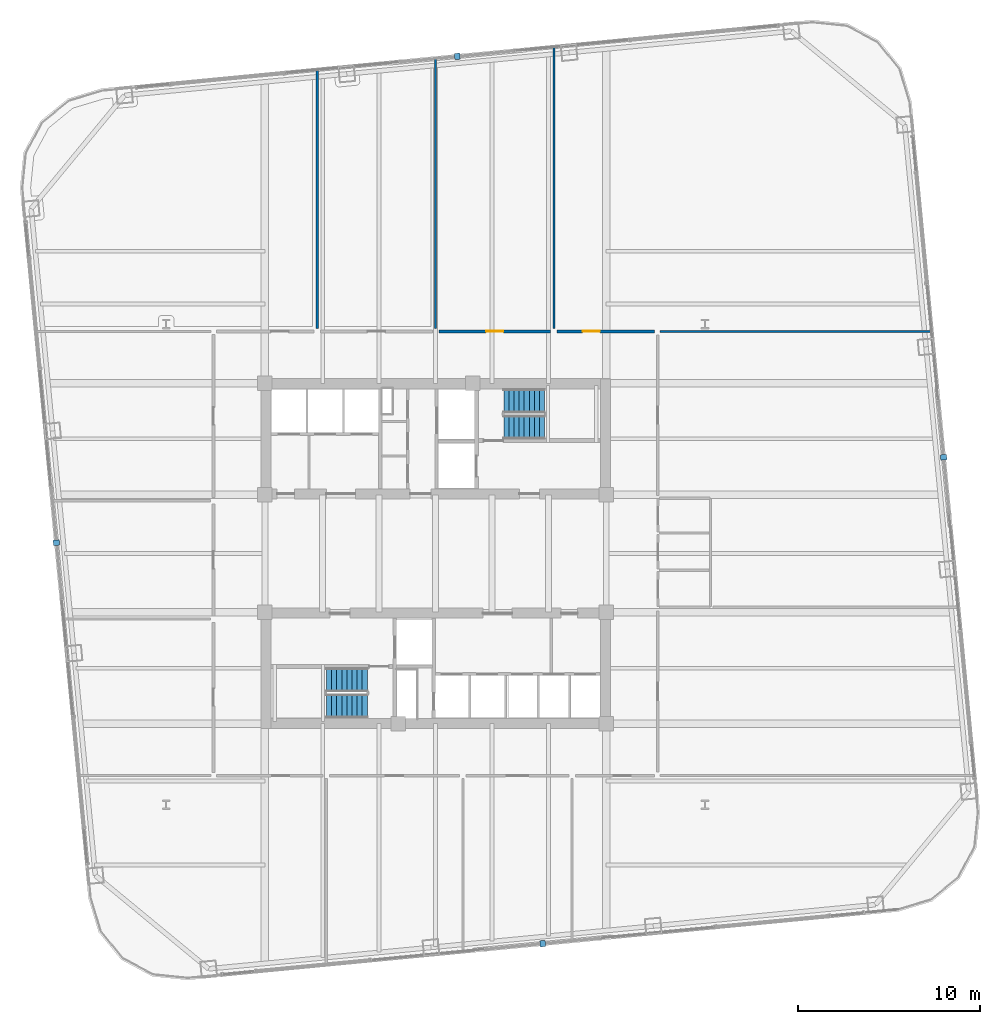
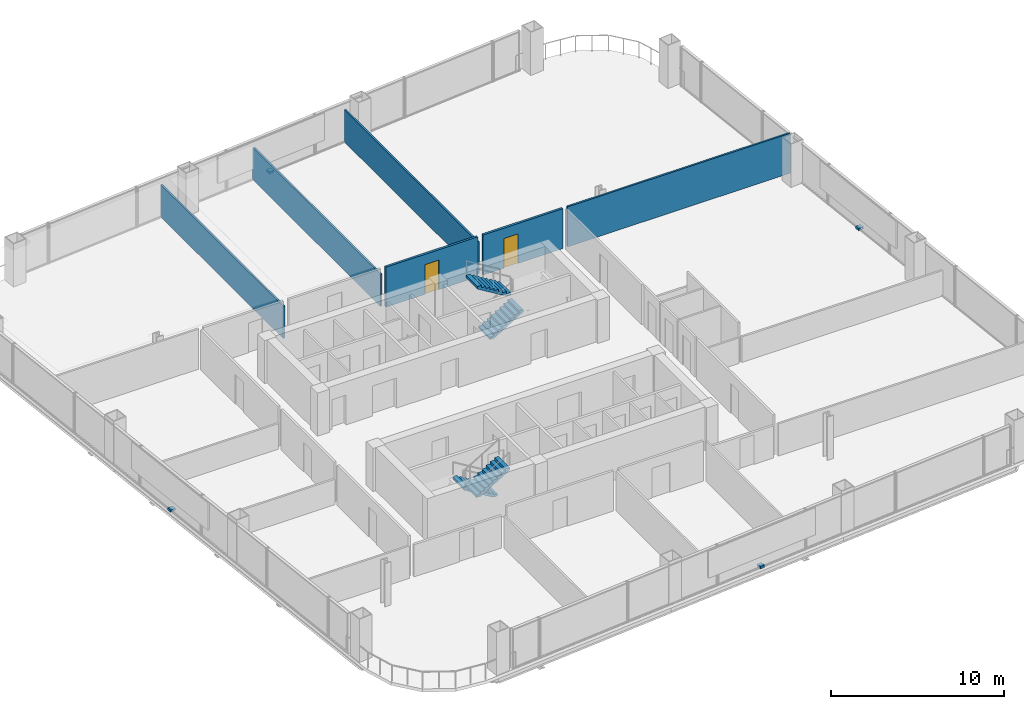
# One storey, part 25 of 28: 6 walls, 4 discrete accessories, 4 stair flights, 2 doors, 2 openings, 2 elements without a shape of their own.
"""IFC4 building model written with IfcOpenShell, lengths in metres."""

from ifc_helpers import new_model, si_unit, direction, frame, frame_2d, origin, origin_2d, place, context, subcontext, project, spatial, polyline, rectangle, outline, extrude, material, layer, layer_set, type_object, element, fill, aggregate, save


model = new_model("IFC4")

# Units and contexts
model_context = context("Model", 3, precision=1e-05, world=origin(), true_north=direction((0.0, 1.0)))
body_context = subcontext(model_context, "Body", "Model", "MODEL_VIEW")
ifc_project = project(units=[si_unit("LENGTHUNIT", "METRE"), si_unit("AREAUNIT", "SQUARE_METRE"), si_unit("VOLUMEUNIT", "CUBIC_METRE"), si_unit("PLANEANGLEUNIT", "RADIAN"), si_unit("MASSUNIT", "GRAM", prefix="KILO")], contexts=[model_context])

# Site, building, storey
site_placement = place(None, origin())
site = spatial("IfcSite", under=ifc_project, at=site_placement, CompositionType="ELEMENT")
building_placement = place(site_placement, origin())
building = spatial("IfcBuilding", under=site, at=building_placement, Name="Qhalaya Broadcast Tower", CompositionType="ELEMENT")
storey_placement = place(building_placement, frame((0.0, 0.0, 90.800048828125)))
storey = spatial("IfcBuildingStorey", under=building, at=storey_placement, Name="L26", CompositionType="ELEMENT", Elevation=90.800048828125)

# Wall, opening, door
ifc_material_1 = material(Name="Gypsum Acoustic Partition")
ifc_layer_1 = layer(ifc_material_1, 0.14990234375, Name="Gypsum Acoustic Partition")
ifc_layer_set_1 = layer_set([ifc_layer_1], Name="Gypsum Acoustic Partition")
wall_type_1 = type_object("IfcWallType", Name="Corridor & Tenancy Acoustic Partition 150", PredefinedType="PARTITIONING", material=ifc_layer_set_1)
wall_1_placement = place(storey_placement, frame((0.179931640625, 12.800048828125, 0.0), z_axis=(0.0, 0.0, 1.0), x_axis=(1.0, 0.0, 0.0)))
wall_1 = element("IfcWall", 1, at=wall_1_placement, inside=storey, type_object=wall_type_1, Name="L26 Partition Wall W-COR-03", PredefinedType="PARTITIONING", context=body_context, shape_type="SweptSolid", body=[
    extrude(rectangle(XDim=6.14013671875, YDim=0.14990234375, at=frame_2d((3.070068359375, 0.0))), origin(), (0.0, 0.0, 1.0), 2.829833984375),
])
opening_1_placement = place(wall_1_placement, frame((2.594970703125, 0.0, 0.0)))
opening_1 = element("IfcOpeningElement", 2, at=opening_1_placement, cuts=wall_1, Name="Opening D10", PredefinedType="OPENING", context=body_context, shape_type="SweptSolid", body=[
    extrude(rectangle(XDim=0.949951171875, YDim=2.10009765625, at=frame_2d((0.47509765625, 1.050048828125))), frame((0.0, 0.0869140625, 0.0), z_axis=(0.0, -1.0, 0.0), x_axis=(1.0, 0.0, 0.0)), (0.0, 0.0, 1.0), 0.173828125),
])
ifc_material_2 = material(Name="Timber Veneer Acoustic Door", Category="wood")
door_type = type_object("IfcDoorType", Name="Cellular Office & Edit Booth Door D10", OperationType="NOTDEFINED", PredefinedType="DOOR", material=ifc_material_2)
door_1_placement = place(opening_1_placement, origin())
door_1 = element("IfcDoor", 3, at=door_1_placement, inside=storey, type_object=door_type, Name="L26 Door D-RM03", OperationType="SINGLE_SWING_RIGHT", OverallHeight=2.10009765625, OverallWidth=0.949951171875, PredefinedType="DOOR", context=body_context, shape_type="SweptSolid", body=[
    extrude(rectangle(XDim=0.949951171875, YDim=2.10009765625, at=frame_2d((0.47509765625, 1.050048828125))), frame((0.0, 0.02490234375, 0.0), z_axis=(0.0, -1.0, 0.0), x_axis=(1.0, 0.0, 0.0)), (0.0, 0.0, 1.0), 0.050048828125),
])
fill(opening_1, door_1)

wall_2_placement = place(storey_placement, frame((6.679931640625, 12.800048828125, 0.0), z_axis=(0.0, 0.0, 1.0), x_axis=(1.0, 0.0, 0.0)))
wall_2 = element("IfcWall", 4, at=wall_2_placement, inside=storey, type_object=wall_type_1, Name="L26 Partition Wall W-COR-04", PredefinedType="PARTITIONING", context=body_context, shape_type="SweptSolid", body=[
    extrude(rectangle(XDim=5.340087890625, YDim=0.14990234375, at=frame_2d((2.669921875, 0.0))), origin(), (0.0, 0.0, 1.0), 2.829833984375),
])
opening_2_placement = place(wall_2_placement, frame((1.39501953125, 0.0, 0.0)))
opening_2 = element("IfcOpeningElement", 5, at=opening_2_placement, cuts=wall_2, Name="Opening D10", PredefinedType="OPENING", context=body_context, shape_type="SweptSolid", body=[
    extrude(rectangle(XDim=0.949951171875, YDim=2.10009765625, at=frame_2d((0.47509765625, 1.050048828125))), frame((0.0, 0.0869140625, 0.0), z_axis=(0.0, -1.0, 0.0), x_axis=(1.0, 0.0, 0.0)), (0.0, 0.0, 1.0), 0.173828125),
])
door_2_placement = place(opening_2_placement, origin())
door_2 = element("IfcDoor", 6, at=door_2_placement, inside=storey, type_object=door_type, Name="L26 Door D-RM04", OperationType="SINGLE_SWING_LEFT", OverallHeight=2.10009765625, OverallWidth=0.949951171875, PredefinedType="DOOR", context=body_context, shape_type="SweptSolid", body=[
    extrude(rectangle(XDim=0.949951171875, YDim=2.10009765625, at=frame_2d((0.47509765625, 1.050048828125))), frame((0.0, 0.02490234375, 0.0), z_axis=(0.0, -1.0, 0.0), x_axis=(1.0, 0.0, 0.0)), (0.0, 0.0, 1.0), 0.050048828125),
])
fill(opening_2, door_2)

# Walls
ifc_layer_2 = layer(ifc_material_1, 0.1201171875, Name="Gypsum Acoustic Partition")
ifc_layer_set_2 = layer_set([ifc_layer_2], Name="Gypsum Acoustic Partition")
wall_type_2 = type_object("IfcWallType", Name="Office, Booth & Sanitary Partition 120", PredefinedType="PARTITIONING", material=ifc_layer_set_2)
wall_3_placement = place(storey_placement, frame((12.340087890625, 12.800048828125, 0.0), z_axis=(0.0, 0.0, 1.0), x_axis=(1.0, 0.0, 0.0)))
element("IfcWall", 7, at=wall_3_placement, inside=storey, type_object=wall_type_2, Name="L26 Partition Wall W-BNDE1", PredefinedType="PARTITIONING", context=body_context, shape_type="SweptSolid", body=[
    extrude(rectangle(XDim=14.901611328125, YDim=0.1201171875, at=frame_2d((7.45068359375, 0.0))), origin(), (0.0, 0.0, 1.0), 2.829833984375),
])
wall_4_placement = place(storey_placement, frame((-6.5, 12.9599609375, 0.0), z_axis=(0.0, 0.0, 1.0), x_axis=(0.0, 1.0, 0.0)))
element("IfcWall", 8, at=wall_4_placement, inside=storey, type_object=wall_type_2, Name="L26 Partition Wall W-DIVN1", PredefinedType="PARTITIONING", context=body_context, shape_type="SweptSolid", body=[
    extrude(rectangle(XDim=14.20654296875, YDim=0.1201171875, at=frame_2d((7.103271484375, 0.0))), origin(), (0.0, 0.0, 1.0), 2.27392578125),
])
wall_5_placement = place(storey_placement, frame((0.0, 12.9599609375, 0.0), z_axis=(0.0, 0.0, 1.0), x_axis=(0.0, 1.0, 0.0)))
element("IfcWall", 9, at=wall_5_placement, inside=storey, type_object=wall_type_2, Name="L26 Partition Wall W-DIVN2", PredefinedType="PARTITIONING", context=body_context, shape_type="SweptSolid", body=[
    extrude(rectangle(XDim=14.83251953125, YDim=0.1201171875, at=frame_2d((7.416259765625, 0.0))), origin(), (0.0, 0.0, 1.0), 2.27392578125),
])
wall_6_placement = place(storey_placement, frame((6.5, 12.9599609375, 0.0), z_axis=(0.0, 0.0, 1.0), x_axis=(0.0, 1.0, 0.0)))
element("IfcWall", 10, at=wall_6_placement, inside=storey, type_object=wall_type_2, Name="L26 Partition Wall W-DIVN3", PredefinedType="PARTITIONING", context=body_context, shape_type="SweptSolid", body=[
    extrude(rectangle(XDim=15.458251953125, YDim=0.1201171875, at=frame_2d((7.72900390625, 0.0))), origin(), (0.0, 0.0, 1.0), 2.27392578125),
])

# Stair, stair flights
ifc_material_3 = material(Name="Concrete C40/50", Category="concrete")
stair_type = type_object("IfcStairType", Name="Protected Dogleg Core Stair 3150", PredefinedType="TWO_STRAIGHT_RUN_STAIR", material=ifc_material_3)
stair_1_placement = place(storey_placement, origin())
stair_1 = element("IfcStair", 11, at=stair_1_placement, inside=storey, type_object=stair_type, Name="L26 North Core Exit Stair ST-1", PredefinedType="TWO_STRAIGHT_RUN_STAIR")
ifc_material_4 = material(Name="Precast Concrete C40/50", Category="concrete")
stair_flight_type = type_object("IfcStairFlightType", Name="Precast Concrete Stair Flight 3150", PredefinedType="STRAIGHT", material=ifc_material_4)
stair_flight_1_placement = place(storey_placement, frame((3.75, 7.5400390625, 0.0), z_axis=(0.0, 0.0, 1.0), x_axis=(1.0, 0.0, 0.0)))
stair_flight_1 = element("IfcStairFlight", 12, at=stair_flight_1_placement, type_object=stair_flight_type, Name="ST-1 flight 1", NumberOfRisers=9, NumberOfTreads=8, PredefinedType="STRAIGHT", RiserHeight=0.169444444, TreadLength=0.28, context=body_context, shape_type="SweptSolid", body=[
    extrude(outline(polyline([(0.0, 0.0), (0.0, 0.16943359375), (0.280029296875, 0.16943359375), (0.280029296875, 0.3388671875), (0.56005859375, 0.3388671875), (0.56005859375, 0.50830078125), (0.840087890625, 0.50830078125), (0.840087890625, 0.677734375), (1.1201171875, 0.677734375), (1.1201171875, 0.84716796875), (1.39990234375, 0.84716796875), (1.39990234375, 1.0166015625), (1.679931640625, 1.0166015625), (1.679931640625, 1.18603515625), (1.9599609375, 1.18603515625), (1.9599609375, 1.35546875), (2.239990234375, 1.35546875), (2.239990234375, 1.52490234375), (2.239990234375, 1.180419921875), (0.28955078125, 0.0), (0.0, 0.0)])), frame((0.0, 0.66015625, 0.0), z_axis=(0.0, -1.0, 0.0), x_axis=(1.0, 0.0, 0.0)), (0.0, 0.0, 1.0), 1.320068359375),
])
stair_flight_2_placement = place(storey_placement, frame((5.989990234375, 8.97998046875, 1.52490234375), z_axis=(0.0, 0.0, 1.0), x_axis=(-1.0, 0.0, 0.0)))
stair_flight_2 = element("IfcStairFlight", 13, at=stair_flight_2_placement, type_object=stair_flight_type, Name="ST-1 flight 2", NumberOfRisers=9, NumberOfTreads=8, PredefinedType="STRAIGHT", RiserHeight=0.169444444, TreadLength=0.28, context=body_context, shape_type="SweptSolid", body=[
    extrude(outline(polyline([(0.0, 0.0), (0.0, 0.16943359375), (0.280029296875, 0.16943359375), (0.280029296875, 0.3388671875), (0.56005859375, 0.3388671875), (0.56005859375, 0.50830078125), (0.840087890625, 0.50830078125), (0.840087890625, 0.677734375), (1.1201171875, 0.677734375), (1.1201171875, 0.84716796875), (1.39990234375, 0.84716796875), (1.39990234375, 1.0166015625), (1.679931640625, 1.0166015625), (1.679931640625, 1.18603515625), (1.9599609375, 1.18603515625), (1.9599609375, 1.35546875), (2.239990234375, 1.35546875), (2.239990234375, 1.52490234375), (2.239990234375, 1.180419921875), (0.28955078125, 0.0), (0.0, 0.0)])), frame((0.0, 0.66015625, 0.0), z_axis=(0.0, -1.0, 0.0), x_axis=(1.0, 0.0, 0.0)), (0.0, 0.0, 1.0), 1.320068359375),
])
aggregate(stair_1, [stair_flight_1, stair_flight_2])

stair_2_placement = place(storey_placement, origin())
stair_2 = element("IfcStair", 14, at=stair_2_placement, inside=storey, type_object=stair_type, Name="L26 South Core Exit Stair ST-2", PredefinedType="TWO_STRAIGHT_RUN_STAIR")
stair_flight_3_placement = place(storey_placement, frame((-3.75, -6.340087890625, 0.0), z_axis=(0.0, 0.0, 1.0), x_axis=(-1.0, 0.0, 0.0)))
stair_flight_3 = element("IfcStairFlight", 15, at=stair_flight_3_placement, type_object=stair_flight_type, Name="ST-2 flight 1", NumberOfRisers=9, NumberOfTreads=8, PredefinedType="STRAIGHT", RiserHeight=0.169444444, TreadLength=0.28, context=body_context, shape_type="SweptSolid", body=[
    extrude(outline(polyline([(0.0, 0.0), (0.0, 0.16943359375), (0.280029296875, 0.16943359375), (0.280029296875, 0.3388671875), (0.56005859375, 0.3388671875), (0.56005859375, 0.50830078125), (0.840087890625, 0.50830078125), (0.840087890625, 0.677734375), (1.1201171875, 0.677734375), (1.1201171875, 0.84716796875), (1.39990234375, 0.84716796875), (1.39990234375, 1.0166015625), (1.679931640625, 1.0166015625), (1.679931640625, 1.18603515625), (1.9599609375, 1.18603515625), (1.9599609375, 1.35546875), (2.239990234375, 1.35546875), (2.239990234375, 1.52490234375), (2.239990234375, 1.180419921875), (0.28955078125, 0.0), (0.0, 0.0)])), frame((0.0, 0.66015625, 0.0), z_axis=(0.0, -1.0, 0.0), x_axis=(1.0, 0.0, 0.0)), (0.0, 0.0, 1.0), 1.320068359375),
])
stair_flight_4_placement = place(storey_placement, frame((-5.989990234375, -7.780029296875, 1.52490234375), z_axis=(0.0, 0.0, 1.0), x_axis=(1.0, 0.0, 0.0)))
stair_flight_4 = element("IfcStairFlight", 16, at=stair_flight_4_placement, type_object=stair_flight_type, Name="ST-2 flight 2", NumberOfRisers=9, NumberOfTreads=8, PredefinedType="STRAIGHT", RiserHeight=0.169444444, TreadLength=0.28, context=body_context, shape_type="SweptSolid", body=[
    extrude(outline(polyline([(0.0, 0.0), (0.0, 0.16943359375), (0.280029296875, 0.16943359375), (0.280029296875, 0.3388671875), (0.56005859375, 0.3388671875), (0.56005859375, 0.50830078125), (0.840087890625, 0.50830078125), (0.840087890625, 0.677734375), (1.1201171875, 0.677734375), (1.1201171875, 0.84716796875), (1.39990234375, 0.84716796875), (1.39990234375, 1.0166015625), (1.679931640625, 1.0166015625), (1.679931640625, 1.18603515625), (1.9599609375, 1.18603515625), (1.9599609375, 1.35546875), (2.239990234375, 1.35546875), (2.239990234375, 1.52490234375), (2.239990234375, 1.180419921875), (0.28955078125, 0.0), (0.0, 0.0)])), frame((0.0, 0.66015625, 0.0), z_axis=(0.0, -1.0, 0.0), x_axis=(1.0, 0.0, 0.0)), (0.0, 0.0, 1.0), 1.320068359375),
])
aggregate(stair_2, [stair_flight_3, stair_flight_4])

# Discrete accessories
ifc_material_5 = material(Name="Structural Steel ASTM A572 Grade 50", Category="steel")
discrete_accessory_type = type_object("IfcDiscreteAccessoryType", Name="Facade Baguette Support Bracket BRK-01", PredefinedType="BRACKET", material=ifc_material_5)
for number, where, z_axis, x_axis, name in (
    (17, (5.88623046875, -20.827392578125, 0.0), (0.0, 0.0, 1.0), (0.995396198367, 0.09584575252, 0.0), "L26 Baguette Support Bracket S"),
    (18, (27.9072265625, 5.88623046875, 0.0), (0.0, 0.0, 1.0), (-0.09584575252, 0.995396198367, 0.0), "L26 Baguette Support Bracket E"),
    (19, (1.193603515625, 27.9072265625, 0.0), (0.0, 0.0, 1.0), (-0.995396198367, -0.09584575252, 0.0), "L26 Baguette Support Bracket N"),
    (20, (-20.827392578125, 1.193603515625, 0.0), (0.0, 0.0, 1.0), (0.09584575252, -0.995396198367, 0.0), "L26 Baguette Support Bracket W"),
):
    element("IfcDiscreteAccessory", number, at=place(storey_placement, frame(where, z_axis=z_axis, x_axis=x_axis)), inside=storey, type_object=discrete_accessory_type, Name=name, PredefinedType="BRACKET", context=body_context, shape_type="SweptSolid", body=[
        extrude(rectangle(XDim=0.300048828125, YDim=0.340087890625, at=origin_2d()), origin(), (0.0, 0.0, 1.0), 0.159912109375),
    ])

save(model, "model.ifc")
